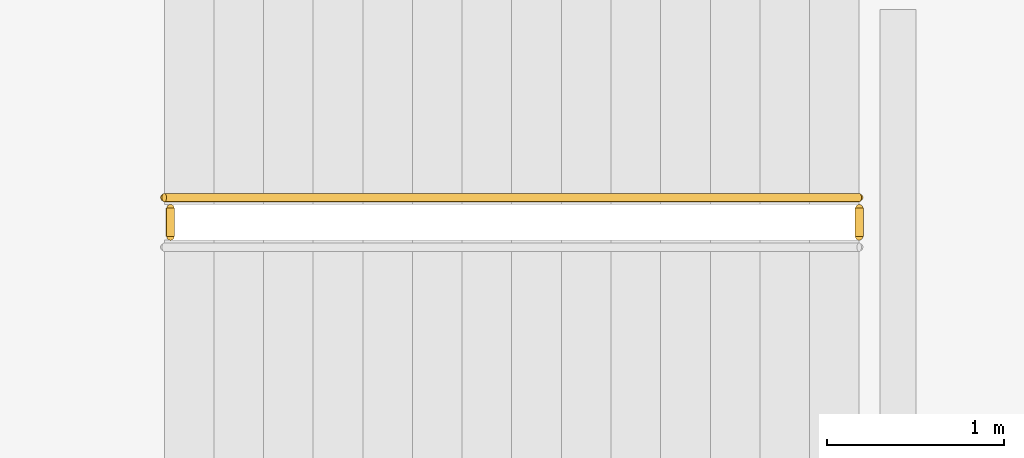
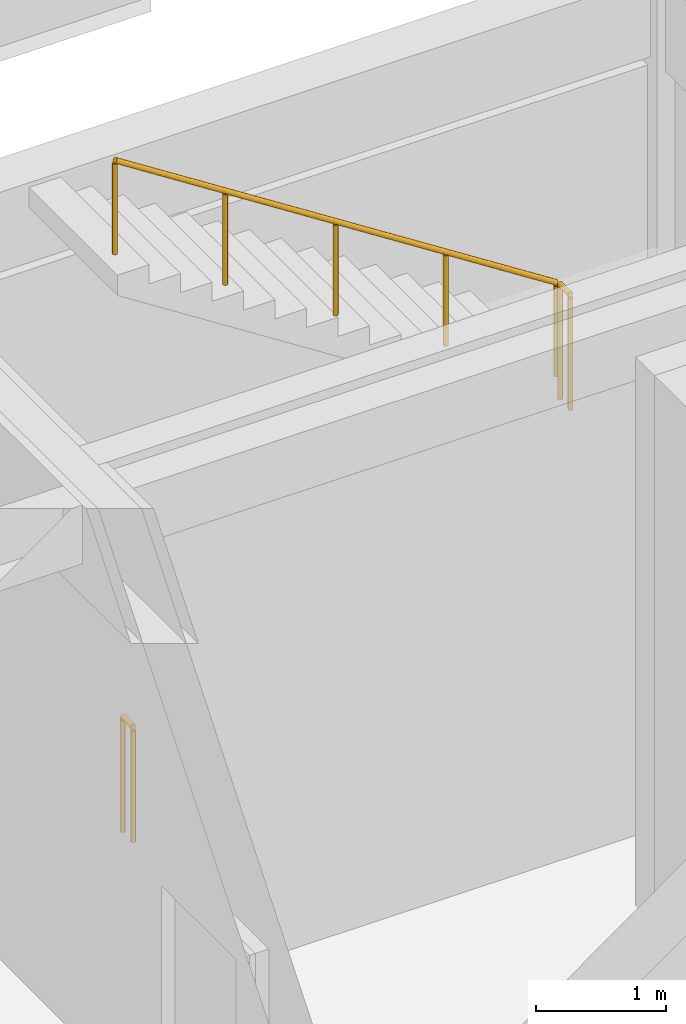
# One storey, part 61 of 64: 3 railings.
"""IFC4 building model written with IfcOpenShell, lengths in metres."""

import ifcopenshell
import ifcopenshell.guid

model = None  # the IFC model being written
_history = None  # IfcOwnerHistory: only IFC2X3 demands one
_inside = {}  # id of a spatial element -> (the spatial element, [elements in it])
_under = {}  # id of a project, library or spatial element -> (it, [spatial elements below it])
_declared = {}  # id of a project -> (the project, [libraries it declares])
_typed = {}  # id of a type object -> (the type object, [elements of that type])
_made_of = {}  # id of a material, layer set ... -> (it, [elements and type objects made of it])


def new_model(schema):
    """Start an empty IFC model of exactly this schema.

    Asked for "IFC4X3", IfcOpenShell would pick the latest addendum, in which some entities
    have other attributes; the version numbers below select the first issue.
    IFC2X3 requires an IfcOwnerHistory on every rooted entity: one is made here for all.
    """
    global model, _history
    if schema == "IFC4X3":
        model = ifcopenshell.file(schema_version=(4, 3, 0, 0))
    else:
        model = ifcopenshell.file(schema=schema)
    _inside.clear()
    _under.clear()
    _declared.clear()
    _typed.clear()
    _made_of.clear()
    _history = None
    if model.schema == "IFC2X3":
        org = make("IfcOrganization", Name="unknown")
        user = make(
            "IfcPersonAndOrganization",
            ThePerson=make("IfcPerson", FamilyName="unknown"),
            TheOrganization=org,
        )
        app = make(
            "IfcApplication",
            ApplicationDeveloper=org,
            Version="unknown",
            ApplicationFullName="unknown",
            ApplicationIdentifier="unknown",
        )
        _history = make(
            "IfcOwnerHistory",
            OwningUser=user,
            OwningApplication=app,
            ChangeAction="ADDED",
            CreationDate=0,
        )
    return model


def make(cls, **values):
    """One entity of the class cls with the attributes given. An attribute that is None is left unset."""
    return model.create_entity(
        cls, **{name: value for name, value in values.items() if value is not None}
    )


def rooted(cls, **values):
    """An entity with a GlobalId (a new one), such as an element, a storey or a relation."""
    return make(cls, GlobalId=ifcopenshell.guid.new(), OwnerHistory=_history, **values)


def si_unit(unit_type, name, prefix=None):
    """IfcSIUnit, for example si_unit("LENGTHUNIT", "METRE", prefix="MILLI")."""
    return make("IfcSIUnit", UnitType=unit_type, Prefix=prefix, Name=name)


def assignment(units):
    """IfcUnitAssignment: the units of a project."""
    return None if units is None else make("IfcUnitAssignment", Units=units)


def point(xyz):
    """IfcCartesianPoint."""
    return None if xyz is None else make("IfcCartesianPoint", Coordinates=xyz)


def direction(xyz):
    """IfcDirection."""
    return None if xyz is None else make("IfcDirection", DirectionRatios=xyz)


def frame(location, z_axis=None, x_axis=None):
    """IfcAxis2Placement3D, a coordinate frame: its origin and axes. An axis left out is left unset."""
    return make(
        "IfcAxis2Placement3D",
        Location=point(location),
        Axis=direction(z_axis),
        RefDirection=direction(x_axis),
    )


def frame_2d(location, x_axis=None):
    """IfcAxis2Placement2D, a coordinate frame in the plane: its origin and x axis."""
    return make(
        "IfcAxis2Placement2D", Location=point(location), RefDirection=direction(x_axis)
    )


def origin():
    """The frame at (0, 0, 0) with its axes left unset."""
    return frame((0.0, 0.0, 0.0))


def origin_2d():
    """The frame at (0, 0) in the plane with its x axis left unset."""
    return frame_2d((0.0, 0.0))


def place(relative_to, where):
    """IfcLocalPlacement: puts the frame where relative to a parent placement (None: the world)."""
    return make(
        "IfcLocalPlacement", PlacementRelTo=relative_to, RelativePlacement=where
    )


def context(
    kind, dimensions, precision=None, world=None, true_north=None, identifier=None
):
    """IfcGeometricRepresentationContext, for example the 3D "Model" context."""
    return make(
        "IfcGeometricRepresentationContext",
        ContextIdentifier=identifier,
        ContextType=kind,
        CoordinateSpaceDimension=dimensions,
        Precision=precision,
        WorldCoordinateSystem=world,
        TrueNorth=true_north,
    )


def subcontext(parent, identifier, kind, view, scale=None):
    """IfcGeometricRepresentationSubContext, for example "Body" below "Model"."""
    return make(
        "IfcGeometricRepresentationSubContext",
        ContextIdentifier=identifier,
        ContextType=kind,
        ParentContext=parent,
        TargetScale=scale,
        TargetView=view,
    )


def project(units=None, contexts=None):
    """IfcProject with its units and contexts."""
    return rooted(
        "IfcProject",
        Name="project",
        RepresentationContexts=contexts,
        UnitsInContext=assignment(units),
    )


def spatial(cls, under=None, at=None, **own):
    """A site, building, storey or space (cls), placed at a placement, below another one or the project."""
    s = rooted(cls, ObjectPlacement=at, **own)
    if under is not None:
        _under.setdefault(under.id(), (under, []))[1].append(s)
    return s


def profile(cls, at=None, kind="AREA", **sizes):
    """A parametric profile (cls). Its sizes go by their IFC names, for example OverallWidth=200.0."""
    return make(cls, ProfileType=kind, Position=at, **sizes)


def circle(**sizes):
    """IfcCircleProfileDef."""
    return profile("IfcCircleProfileDef", **sizes)


def extrude(swept, where, along, depth):
    """IfcExtrudedAreaSolid: the profile swept, set in the frame where, extruded along a direction by depth."""
    return make(
        "IfcExtrudedAreaSolid",
        SweptArea=swept,
        Position=where,
        ExtrudedDirection=direction(along),
        Depth=depth,
    )


def shape(context_of_items, identifier, shape_type, items):
    """IfcShapeRepresentation: the items that make up one representation, for example the "Body"."""
    return make(
        "IfcShapeRepresentation",
        ContextOfItems=context_of_items,
        RepresentationIdentifier=identifier,
        RepresentationType=shape_type,
        Items=items,
    )


def material(Name=None, Category=None):
    """IfcMaterial."""
    return make("IfcMaterial", Name=Name, Category=Category)


def made_of(thing, what):
    """Note that an element or type object is made of a material, layer set ...; save() writes the relation."""
    if what is not None:
        _made_of.setdefault(what.id(), (what, []))[1].append(thing)
    return thing


def type_object(cls, material=None, **own):
    """A type object (cls), such as IfcWallType, which elements share."""
    return made_of(rooted(cls, **own), material)


def element(
    cls,
    number,
    at=None,
    inside=None,
    cuts=None,
    type_object=None,
    material=None,
    context=None,
    identifier="Body",
    shape_type=None,
    held_by="IfcProductDefinitionShape",
    body=None,
    shapes=None,
    **own,
):
    """One element of the class cls, such as IfcWall. Its Tag is "e" and its number.

    at: its placement. inside: the storey or other place that contains it. cuts: it is an
    opening in that element (IfcRelVoidsElement). A single representation is given by context,
    identifier, shape_type and body (its items); several are given by shapes. held_by: the class
    of the entity that holds the representations. save() writes the other relations.
    """
    e = rooted(cls, Tag="e%d" % number, ObjectPlacement=at, **own)
    if body is not None:
        shapes = [shape(context, identifier, shape_type, body)]
    if shapes is not None:
        e.Representation = make(held_by, Representations=shapes)
    if inside is not None:
        _inside.setdefault(inside.id(), (inside, []))[1].append(e)
    if cuts is not None:
        rooted(
            "IfcRelVoidsElement", RelatingBuildingElement=cuts, RelatedOpeningElement=e
        )
    if type_object is not None:
        _typed.setdefault(type_object.id(), (type_object, []))[1].append(e)
    return made_of(e, material)


def aggregate(whole, parts):
    """IfcRelAggregates: a whole, such as a stair, and the parts it consists of."""
    return rooted("IfcRelAggregates", RelatingObject=whole, RelatedObjects=parts)


def save(model, path):
    """Write the relations noted so far, then the file.

    IfcRelAggregates (storeys below a building ...), IfcRelContainedInSpatialStructure (elements
    in a storey), IfcRelDefinesByType, IfcRelAssociatesMaterial and IfcRelDeclares: one each for
    every whole, place, type object, material and project.
    """
    for whole, parts in _under.values():
        aggregate(whole, parts)
    for where, things in _inside.values():
        rooted(
            "IfcRelContainedInSpatialStructure",
            RelatedElements=things,
            RelatingStructure=where,
        )
    for kind, things in _typed.values():
        rooted("IfcRelDefinesByType", RelatedObjects=things, RelatingType=kind)
    for what, things in _made_of.values():
        rooted("IfcRelAssociatesMaterial", RelatedObjects=things, RelatingMaterial=what)
    for by, libraries in _declared.values():
        rooted("IfcRelDeclares", RelatingContext=by, RelatedDefinitions=libraries)
    model.write(path)


model = new_model("IFC4")

# Units and contexts
model_context = context("Model", 3, precision=1e-05, world=origin(), true_north=direction((0.0, 1.0)))
body_context = subcontext(model_context, "Body", "Model", "MODEL_VIEW")
ifc_project = project(units=[si_unit("LENGTHUNIT", "METRE"), si_unit("AREAUNIT", "SQUARE_METRE"), si_unit("VOLUMEUNIT", "CUBIC_METRE"), si_unit("PLANEANGLEUNIT", "RADIAN"), si_unit("MASSUNIT", "GRAM", prefix="KILO")], contexts=[model_context])

# Site, building, storey
site_placement = place(None, origin())
site = spatial("IfcSite", under=ifc_project, at=site_placement, CompositionType="ELEMENT")
building_placement = place(site_placement, origin())
building = spatial("IfcBuilding", under=site, at=building_placement, Name="Cinchona Park Media Centre", CompositionType="ELEMENT")
storey_placement = place(building_placement, frame((0.0, 0.0, 10.199951171875)))
storey = spatial("IfcBuildingStorey", under=building, at=storey_placement, Name="L02", CompositionType="ELEMENT", Elevation=10.199951171875)

# Railings
ifc_material_1 = material(Name="Painted Steel Stairwell Guardrail", Category="steel")
railing_type_1 = type_object("IfcRailingType", Name="RAILING-GR02", PredefinedType="GUARDRAIL", material=ifc_material_1)
for number, where, name in (
    (1, (166.135009765625, 61.719970703125, 0.0), "Stairwell Guardrail GR02 ST7 L02"),
    (2, (170.02001953125, 61.719970703125, 2.699951171875), "Half-Landing Guardrail GR02 ST7 L02"),
):
    element("IfcRailing", number, at=place(storey_placement, frame(where)), inside=storey, type_object=railing_type_1, Name=name, PredefinedType="GUARDRAIL", context=body_context, shape_type="SweptSolid", body=[
        extrude(circle(Radius=0.02392578125, at=origin_2d()), frame((0.0, 0.0, 1.076171875), z_axis=(0.0, 1.0, 0.0), x_axis=(-1.0, 0.0, 0.0)), (0.0, 0.0, 1.0), 0.159912109375),
        extrude(circle(Radius=0.02099609375, at=origin_2d()), origin(), (0.0, 0.0, 1.0), 1.052001953125),
        extrude(circle(Radius=0.02099609375, at=origin_2d()), frame((0.0, 0.159912109375, 0.0)), (0.0, 0.0, 1.0), 1.052001953125),
    ])
ifc_material_2 = material(Name="Brushed Stainless Steel Handrail", Category="steel")
railing_type_2 = type_object("IfcRailingType", Name="RAILING-HR01", PredefinedType="HANDRAIL", material=ifc_material_2)
railing_placement = place(storey_placement, frame((170.02001953125, 61.93994140625, 2.880126953125)))
element("IfcRailing", 3, at=railing_placement, inside=storey, type_object=railing_type_2, Name="Stair Handrail HR01 ST7 L02 F2", PredefinedType="HANDRAIL", context=body_context, shape_type="SweptSolid", body=[
    extrude(circle(Radius=0.02392578125, at=origin_2d()), frame((0.0, 0.0, 0.8759765625), z_axis=(-0.841171666519, 0.0, 0.540768182723), x_axis=(0.0, -1.0, 0.0)), (0.0, 0.0, 1.0), 4.66015625),
    extrude(circle(Radius=0.02099609375, at=origin_2d()), origin(), (0.0, 0.0, 1.0), 0.851806640625),
    extrude(circle(Radius=0.02099609375, at=origin_2d()), frame((-0.97998046875, 0.0, 0.6298828125)), (0.0, 0.0, 1.0), 0.851806640625),
    extrude(circle(Radius=0.02099609375, at=origin_2d()), frame((-1.9599609375, 0.0, 1.260009765625)), (0.0, 0.0, 1.0), 0.851806640625),
    extrude(circle(Radius=0.02099609375, at=origin_2d()), frame((-2.93994140625, 0.0, 1.89013671875)), (0.0, 0.0, 1.0), 0.851806640625),
    extrude(circle(Radius=0.02099609375, at=origin_2d()), frame((-3.919921875, 0.0, 2.52001953125)), (0.0, 0.0, 1.0), 0.851806640625),
])

save(model, "model.ifc")
